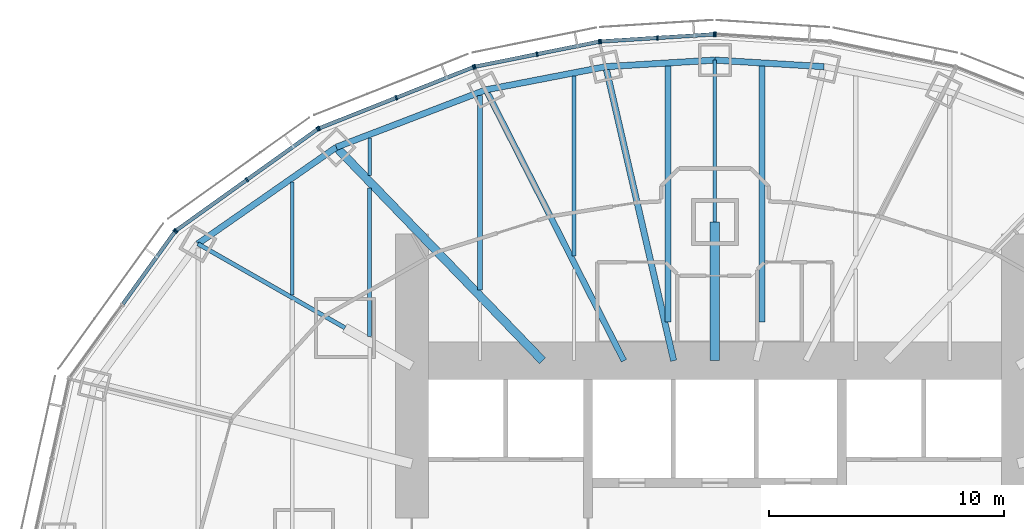
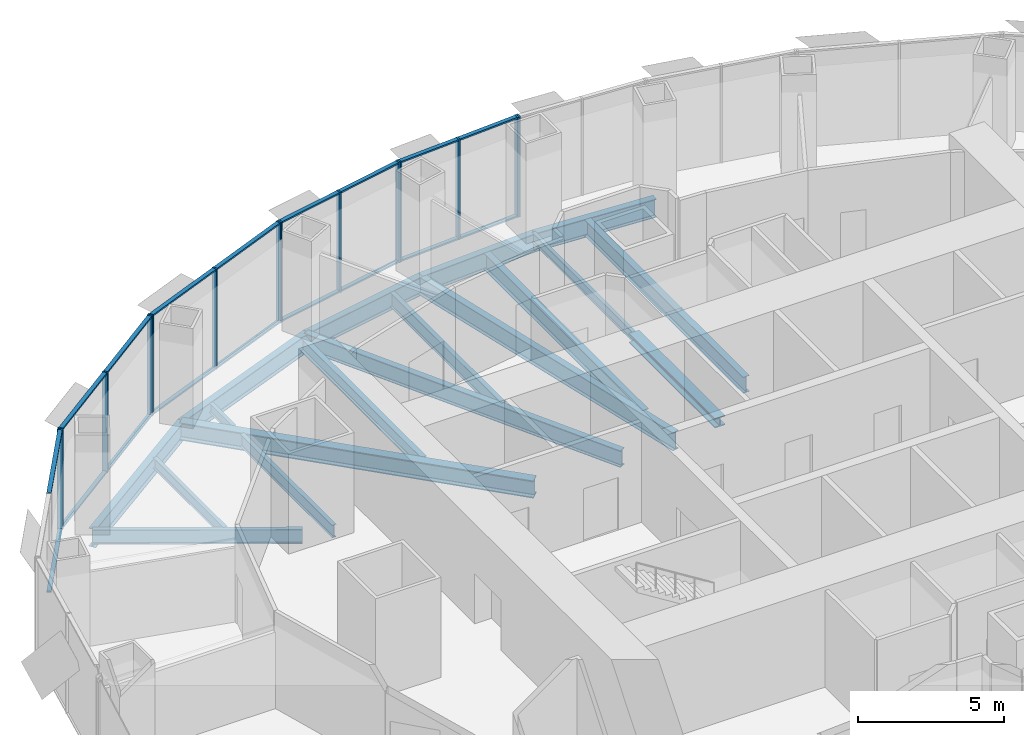
# One storey, part 7 of 18: 32 members, 18 beams, 6 elements without a shape of their own.
"""IFC4 building model written with IfcOpenShell, lengths in metres."""

from ifc_helpers import new_model, si_unit, direction, frame, origin, origin_2d, place, context, subcontext, project, spatial, rectangle, i_section, extrude, material, material_profile, profile_set, type_object, element, aggregate, save


model = new_model("IFC4")

# Units and contexts
model_context = context("Model", 3, precision=1e-05, world=origin(), true_north=direction((0.0, 1.0)))
body_context = subcontext(model_context, "Body", "Model", "MODEL_VIEW")
ifc_project = project(units=[si_unit("LENGTHUNIT", "METRE"), si_unit("AREAUNIT", "SQUARE_METRE"), si_unit("VOLUMEUNIT", "CUBIC_METRE"), si_unit("PLANEANGLEUNIT", "RADIAN"), si_unit("MASSUNIT", "GRAM", prefix="KILO")], contexts=[model_context])

# Site, building, storey
site_placement = place(None, origin())
site = spatial("IfcSite", under=ifc_project, at=site_placement, CompositionType="ELEMENT")
building_placement = place(site_placement, origin())
building = spatial("IfcBuilding", under=site, at=building_placement, Name="Lantaw Convention Tower", CompositionType="ELEMENT")
storey_placement = place(building_placement, frame((0.0, 0.0, 172.0)))
storey = spatial("IfcBuildingStorey", under=building, at=storey_placement, Name="L40", CompositionType="ELEMENT", Elevation=172.0)

# Beams
ifc_material_1 = material(Name="Steel ASTM A992", Category="steel")
ifc_material_profile_1 = material_profile(ifc_material_1, i_section(OverallWidth=0.2666015625, OverallDepth=0.76953125, WebThickness=0.015625, FlangeThickness=0.025390625, FilletRadius=0.0126953125, at=origin_2d()), Name="W30X132")
ifc_profile_set_1 = profile_set([ifc_material_profile_1], Name="Steel ASTM A992")
beam_type_1 = type_object("IfcBeamType", Name="Beam E W30X132", PredefinedType="SPANDREL", material=ifc_profile_set_1)
for number, where, z_axis, x_axis, name in (
    (1, (4.64501953125, 20.1201171875, -0.534912109375), (-0.998190892054, 0.06012439621, 0.0), (-0.06012439621, -0.998190892054, 0.0), "Edge beam 6"),
    (2, (0.0, 20.39990234375, -0.534912109375), (-0.998190892054, -0.06012439621, 0.0), (0.06012439621, -0.998190892054, 0.0), "Edge beam 7"),
):
    element("IfcBeam", number, at=place(storey_placement, frame(where, z_axis=z_axis, x_axis=x_axis)), inside=storey, type_object=beam_type_1, Name=name, PredefinedType="SPANDREL", context=body_context, shape_type="SweptSolid", body=[
        extrude(i_section(OverallWidth=0.2666015625, OverallDepth=0.76953125, WebThickness=0.015625, FlangeThickness=0.025390625, FilletRadius=0.0126953125, at=origin_2d()), origin(), (0.0, 0.0, 1.0), 4.6533203125),
    ])
beam_1_placement = place(storey_placement, frame((-4.64501953125, 20.1201171875, -0.534912109375), z_axis=(-0.981796805654, -0.189934284446, 0.0), x_axis=(0.189934284446, -0.981796805654, 0.0)))
element("IfcBeam", 3, at=beam_1_placement, inside=storey, type_object=beam_type_1, Name="Edge beam 8", PredefinedType="SPANDREL", context=body_context, shape_type="SweptSolid", body=[
    extrude(i_section(OverallWidth=0.2666015625, OverallDepth=0.76953125, WebThickness=0.015625, FlangeThickness=0.025390625, FilletRadius=0.0126953125, at=origin_2d()), origin(), (0.0, 0.0, 1.0), 5.1982421875),
])
beam_2_placement = place(storey_placement, frame((-9.74853515625, 19.1328125, -0.534912109375), z_axis=(-0.933691081977, -0.358079549033, 0.0), x_axis=(0.358079549033, -0.933691081977, 0.0)))
element("IfcBeam", 4, at=beam_2_placement, inside=storey, type_object=beam_type_1, Name="Edge beam 9", PredefinedType="SPANDREL", context=body_context, shape_type="SweptSolid", body=[
    extrude(i_section(OverallWidth=0.2666015625, OverallDepth=0.76953125, WebThickness=0.015625, FlangeThickness=0.025390625, FilletRadius=0.0126953125, at=origin_2d()), origin(), (0.0, 0.0, 1.0), 6.821533203125),
])
beam_3_placement = place(storey_placement, frame((-16.11767578125, 16.690185546875, -0.534912109375), z_axis=(-0.820310765287, -0.57191804339, 0.0), x_axis=(0.57191804339, -0.820310765287, 0.0)))
element("IfcBeam", 5, at=beam_3_placement, inside=storey, type_object=beam_type_1, Name="Edge beam 10", PredefinedType="SPANDREL", context=body_context, shape_type="SweptSolid", body=[
    extrude(i_section(OverallWidth=0.2666015625, OverallDepth=0.76953125, WebThickness=0.015625, FlangeThickness=0.025390625, FilletRadius=0.0126953125, at=origin_2d()), origin(), (0.0, 0.0, 1.0), 7.187744140625),
])
ifc_material_profile_2 = material_profile(ifc_material_1, i_section(OverallWidth=0.140380859375, OverallDepth=0.40380859375, WebThickness=0.007080078125, FlangeThickness=0.01123046875, FilletRadius=0.01025390625, at=origin_2d()), Name="W16X31")
ifc_profile_set_2 = profile_set([ifc_material_profile_2], Name="Steel ASTM A992")
beam_type_2 = type_object("IfcBeamType", Name="Beam G W16X31", PredefinedType="BEAM", material=ifc_profile_set_2)
beam_4_placement = place(storey_placement, frame((0.0, 13.5, -0.35205078125), z_axis=(0.0, 1.0, 0.0), x_axis=(-1.0, 0.0, 0.0)))
element("IfcBeam", 6, at=beam_4_placement, inside=storey, type_object=beam_type_2, Name="Floor girder on ray 7", PredefinedType="BEAM", context=body_context, shape_type="SweptSolid", body=[
    extrude(i_section(OverallWidth=0.140380859375, OverallDepth=0.40380859375, WebThickness=0.007080078125, FlangeThickness=0.01123046875, FilletRadius=0.01025390625, at=origin_2d()), origin(), (0.0, 0.0, 1.0), 6.89990234375),
])
ifc_material_profile_3 = material_profile(ifc_material_1, i_section(OverallWidth=0.177978515625, OverallDepth=0.599365234375, WebThickness=0.010009765625, FlangeThickness=0.012939453125, FilletRadius=0.012939453125, at=origin_2d()), Name="W24X55")
ifc_profile_set_3 = profile_set([ifc_material_profile_3], Name="Steel ASTM A992")
beam_type_3 = type_object("IfcBeamType", Name="Beam G W24X55", PredefinedType="BEAM", material=ifc_profile_set_3)
beam_5_placement = place(storey_placement, frame((-15.75, 9.0, -0.44970703125), z_axis=(-0.868245224608, 0.496135293993, 0.0), x_axis=(-0.496135293993, -0.868245224608, 0.0)))
element("IfcBeam", 7, at=beam_5_placement, inside=storey, type_object=beam_type_3, Name="Floor girder on ray 11", PredefinedType="BEAM", context=body_context, shape_type="SweptSolid", body=[
    extrude(i_section(OverallWidth=0.177978515625, OverallDepth=0.599365234375, WebThickness=0.010009765625, FlangeThickness=0.012939453125, FilletRadius=0.012939453125, at=origin_2d()), origin(), (0.0, 0.0, 1.0), 7.21435546875),
])
ifc_material_profile_4 = material_profile(ifc_material_1, i_section(OverallWidth=0.25390625, OverallDepth=0.700927734375, WebThickness=0.015380859375, FlangeThickness=0.02783203125, FilletRadius=0.01513671875, at=origin_2d()), Name="W27X129")
ifc_profile_set_4 = profile_set([ifc_material_profile_4], Name="Steel ASTM A992")
beam_type_4 = type_object("IfcBeamType", Name="Beam G W27X129", PredefinedType="BEAM", material=ifc_profile_set_4)
beam_6_placement = place(storey_placement, frame((-3.872314453125, 7.60009765625, -0.50048828125), z_axis=(-0.453991051051, 0.891006243281, 0.0), x_axis=(-0.891006243281, -0.453991051051, 0.0)))
element("IfcBeam", 8, at=beam_6_placement, inside=storey, type_object=beam_type_4, Name="Floor girder on ray 9", PredefinedType="BEAM", context=body_context, shape_type="SweptSolid", body=[
    extrude(i_section(OverallWidth=0.25390625, OverallDepth=0.700927734375, WebThickness=0.015380859375, FlangeThickness=0.02783203125, FilletRadius=0.01513671875, at=origin_2d()), origin(), (0.0, 0.0, 1.0), 12.943359375),
])
ifc_material_profile_5 = material_profile(ifc_material_1, i_section(OverallWidth=0.360595703125, OverallDepth=0.72900390625, WebThickness=0.023193359375, FlangeThickness=0.041015625, FilletRadius=0.0126953125, at=origin_2d()), Name="W27X235")
ifc_profile_set_5 = profile_set([ifc_material_profile_5], Name="Steel ASTM A992")
beam_type_5 = type_object("IfcBeamType", Name="Beam G W27X235", PredefinedType="BEAM", material=ifc_profile_set_5)
beam_7_placement = place(storey_placement, frame((-7.33935546875, 7.60009765625, -0.514404296875), z_axis=(-0.694663467407, 0.719334878239, 0.0), x_axis=(-0.719334878239, -0.694663467407, 0.0)))
element("IfcBeam", 9, at=beam_7_placement, inside=storey, type_object=beam_type_5, Name="Floor girder on ray 10", PredefinedType="BEAM", context=body_context, shape_type="SweptSolid", body=[
    extrude(i_section(OverallWidth=0.360595703125, OverallDepth=0.72900390625, WebThickness=0.023193359375, FlangeThickness=0.041015625, FilletRadius=0.0126953125, at=origin_2d()), origin(), (0.0, 0.0, 1.0), 12.63671875),
])
ifc_material_profile_6 = material_profile(ifc_material_1, i_section(OverallWidth=0.2666015625, OverallDepth=0.7568359375, WebThickness=0.013916015625, FlangeThickness=0.019287109375, FilletRadius=0.0126953125, at=origin_2d()), Name="W30X108")
ifc_profile_set_6 = profile_set([ifc_material_profile_6], Name="Steel ASTM A992")
beam_type_6 = type_object("IfcBeamType", Name="Beam G W30X108", PredefinedType="BEAM", material=ifc_profile_set_6)
beam_8_placement = place(storey_placement, frame((-1.754638671875, 7.60009765625, -0.528564453125), z_axis=(-0.224944153104, 0.974371658036, 0.0), x_axis=(-0.974371658036, -0.224944153104, 0.0)))
element("IfcBeam", 10, at=beam_8_placement, inside=storey, type_object=beam_type_6, Name="Floor girder on ray 8", PredefinedType="BEAM", context=body_context, shape_type="SweptSolid", body=[
    extrude(i_section(OverallWidth=0.2666015625, OverallDepth=0.7568359375, WebThickness=0.013916015625, FlangeThickness=0.019287109375, FilletRadius=0.0126953125, at=origin_2d()), origin(), (0.0, 0.0, 1.0), 12.849365234375),
])
ifc_material_profile_7 = material_profile(ifc_material_1, i_section(OverallWidth=0.40380859375, OverallDepth=0.406494140625, WebThickness=0.027099609375, FlangeThickness=0.043701171875, FilletRadius=0.01513671875, at=origin_2d()), Name="W14X233")
ifc_profile_set_7 = profile_set([ifc_material_profile_7], Name="Steel ASTM A992")
beam_type_7 = type_object("IfcBeamType", Name="Beam GM W14X233", PredefinedType="BEAM", material=ifc_profile_set_7)
beam_9_placement = place(storey_placement, frame((0.0, 7.60009765625, -0.353271484375), z_axis=(0.0, 1.0, 0.0), x_axis=(-1.0, 0.0, 0.0)))
element("IfcBeam", 11, at=beam_9_placement, inside=storey, type_object=beam_type_7, Name="Core link beam on ray 7", PredefinedType="BEAM", context=body_context, shape_type="SweptSolid", body=[
    extrude(i_section(OverallWidth=0.40380859375, OverallDepth=0.406494140625, WebThickness=0.027099609375, FlangeThickness=0.043701171875, FilletRadius=0.01513671875, at=origin_2d()), origin(), (0.0, 0.0, 1.0), 5.89990234375),
])
ifc_material_profile_8 = material_profile(ifc_material_1, i_section(OverallWidth=0.140380859375, OverallDepth=0.40380859375, WebThickness=0.007080078125, FlangeThickness=0.01123046875, FilletRadius=0.01025390625, at=origin_2d()), Name="W16X31")
ifc_profile_set_8 = profile_set([ifc_material_profile_8], Name="Steel ASTM A992")
beam_type_8 = type_object("IfcBeamType", Name="Beam J W16X31", PredefinedType="JOIST", material=ifc_profile_set_8)
beam_10_placement = place(storey_placement, frame((-14.699951171875, 15.48193359375, -0.35205078125), z_axis=(0.0, 1.0, 0.0), x_axis=(-1.0, 0.0, 0.0)))
element("IfcBeam", 12, at=beam_10_placement, inside=storey, type_object=beam_type_8, Name="Floor joist", PredefinedType="JOIST", context=body_context, shape_type="SweptSolid", body=[
    extrude(i_section(OverallWidth=0.140380859375, OverallDepth=0.40380859375, WebThickness=0.007080078125, FlangeThickness=0.01123046875, FilletRadius=0.01025390625, at=origin_2d()), origin(), (0.0, 0.0, 1.0), 1.609130859375),
])
ifc_material_profile_9 = material_profile(ifc_material_1, i_section(OverallWidth=0.15234375, OverallDepth=0.449462890625, WebThickness=0.007568359375, FlangeThickness=0.0107421875, FilletRadius=0.01025390625, at=origin_2d()), Name="W18X35")
ifc_profile_set_9 = profile_set([ifc_material_profile_9], Name="Steel ASTM A992")
beam_type_9 = type_object("IfcBeamType", Name="Beam J W18X35", PredefinedType="JOIST", material=ifc_profile_set_9)
beam_11_placement = place(storey_placement, frame((-18.0, 10.38818359375, -0.374755859375), z_axis=(0.0, 1.0, 0.0), x_axis=(-1.0, 0.0, 0.0)))
element("IfcBeam", 13, at=beam_11_placement, inside=storey, type_object=beam_type_9, Name="Floor joist", PredefinedType="JOIST", context=body_context, shape_type="SweptSolid", body=[
    extrude(i_section(OverallWidth=0.15234375, OverallDepth=0.449462890625, WebThickness=0.007568359375, FlangeThickness=0.0107421875, FilletRadius=0.01025390625, at=origin_2d()), origin(), (0.0, 0.0, 1.0), 4.8271484375),
])
ifc_material_profile_10 = material_profile(ifc_material_1, i_section(OverallWidth=0.1650390625, OverallDepth=0.52587890625, WebThickness=0.0087890625, FlangeThickness=0.011474609375, FilletRadius=0.0126953125, at=origin_2d()), Name="W21X44")
ifc_profile_set_10 = profile_set([ifc_material_profile_10], Name="Steel ASTM A992")
beam_type_10 = type_object("IfcBeamType", Name="Beam J W21X44", PredefinedType="JOIST", material=ifc_profile_set_10)
beam_12_placement = place(storey_placement, frame((-14.699951171875, 8.632568359375, -0.412841796875), z_axis=(0.0, 1.0, 0.0), x_axis=(-1.0, 0.0, 0.0)))
element("IfcBeam", 14, at=beam_12_placement, inside=storey, type_object=beam_type_10, Name="Floor joist", PredefinedType="JOIST", context=body_context, shape_type="SweptSolid", body=[
    extrude(i_section(OverallWidth=0.1650390625, OverallDepth=0.52587890625, WebThickness=0.0087890625, FlangeThickness=0.011474609375, FilletRadius=0.0126953125, at=origin_2d()), origin(), (0.0, 0.0, 1.0), 6.330078125),
])
ifc_material_profile_11 = material_profile(ifc_material_1, i_section(OverallWidth=0.2099609375, OverallDepth=0.535888671875, WebThickness=0.010986328125, FlangeThickness=0.017333984375, FilletRadius=0.012939453125, at=origin_2d()), Name="W21X68")
ifc_profile_set_11 = profile_set([ifc_material_profile_11], Name="Steel ASTM A992")
beam_type_11 = type_object("IfcBeamType", Name="Beam J W21X68", PredefinedType="JOIST", material=ifc_profile_set_11)
beam_13_placement = place(storey_placement, frame((-10.0, 10.614990234375, -0.41796875), z_axis=(0.0, 1.0, 0.0), x_axis=(-1.0, 0.0, 0.0)))
element("IfcBeam", 15, at=beam_13_placement, inside=storey, type_object=beam_type_11, Name="Floor joist", PredefinedType="JOIST", context=body_context, shape_type="SweptSolid", body=[
    extrude(i_section(OverallWidth=0.2099609375, OverallDepth=0.535888671875, WebThickness=0.010986328125, FlangeThickness=0.017333984375, FilletRadius=0.012939453125, at=origin_2d()), origin(), (0.0, 0.0, 1.0), 8.278564453125),
])
ifc_material_profile_12 = material_profile(ifc_material_1, i_section(OverallWidth=0.177978515625, OverallDepth=0.599365234375, WebThickness=0.010009765625, FlangeThickness=0.012939453125, FilletRadius=0.012939453125, at=origin_2d()), Name="W24X55")
ifc_profile_set_12 = profile_set([ifc_material_profile_12], Name="Steel ASTM A992")
beam_type_12 = type_object("IfcBeamType", Name="Beam J W24X55", PredefinedType="JOIST", material=ifc_profile_set_12)
beam_14_placement = place(storey_placement, frame((-6.0, 12.055419921875, -0.44970703125), z_axis=(0.0, 1.0, 0.0), x_axis=(-1.0, 0.0, 0.0)))
element("IfcBeam", 16, at=beam_14_placement, inside=storey, type_object=beam_type_12, Name="Floor joist", PredefinedType="JOIST", context=body_context, shape_type="SweptSolid", body=[
    extrude(i_section(OverallWidth=0.177978515625, OverallDepth=0.599365234375, WebThickness=0.010009765625, FlangeThickness=0.012939453125, FilletRadius=0.012939453125, at=origin_2d()), origin(), (0.0, 0.0, 1.0), 7.666748046875),
])
ifc_material_profile_13 = material_profile(ifc_material_1, i_section(OverallWidth=0.25390625, OverallDepth=0.683349609375, WebThickness=0.012451171875, FlangeThickness=0.01904296875, FilletRadius=0.01513671875, at=origin_2d()), Name="W27X94")
ifc_profile_set_13 = profile_set([ifc_material_profile_13], Name="Steel ASTM A992")
beam_type_13 = type_object("IfcBeamType", Name="Beam J W27X94", PredefinedType="JOIST", material=ifc_profile_set_13)
for number, where, z_axis, x_axis, name in (
    (17, (-2.0, 9.255859375, -0.49169921875), (0.0, 1.0, 0.0), (-1.0, 0.0, 0.0), "Floor joist"),
    (18, (2.0, 9.255859375, -0.49169921875), (0.0, 1.0, 0.0), (-1.0, 0.0, 0.0), "Floor joist"),
):
    element("IfcBeam", number, at=place(storey_placement, frame(where, z_axis=z_axis, x_axis=x_axis)), inside=storey, type_object=beam_type_13, Name=name, PredefinedType="JOIST", context=body_context, shape_type="SweptSolid", body=[
        extrude(i_section(OverallWidth=0.25390625, OverallDepth=0.683349609375, WebThickness=0.012451171875, FlangeThickness=0.01904296875, FilletRadius=0.01513671875, at=origin_2d()), origin(), (0.0, 0.0, 1.0), 10.889892578125),
    ])

# Curtain wall, member
ifc_material_2 = material(Name="Aluminium framed curtain wall", Category="aluminium")
curtain_wall_type = type_object("IfcCurtainWallType", Name="Office curtain wall low rise, pale aluminium", PredefinedType="USERDEFINED", material=ifc_material_2)
curtain_wall_1_placement = place(storey_placement, origin())
curtain_wall_1 = element("IfcCurtainWall", 19, at=curtain_wall_1_placement, inside=storey, type_object=curtain_wall_type, Name="Office curtain wall low rise, pale aluminium L40", ObjectType="UNITISED CURTAIN WALL", PredefinedType="USERDEFINED")
ifc_material_3 = material(Name="Aluminium 6063-T6", Category="aluminium")
ifc_material_profile_14 = material_profile(ifc_material_3, rectangle(XDim=0.199951171875, YDim=0.06494140625, at=origin_2d()), Name="CW-O1 mullion 65x200")
ifc_profile_set_14 = profile_set([ifc_material_profile_14], Name="Aluminium 6063-T6")
member_type_1 = type_object("IfcMemberType", Name="CW-O1 mullion 65x200", PredefinedType="MULLION", material=ifc_profile_set_14)
member_1_placement = place(storey_placement, frame((0.032470703125, 21.498046875, -0.14990234375), z_axis=(0.0, 0.0, 1.0), x_axis=(-0.062865059466, -0.998022035978, 0.0)))
member_1 = element("IfcMember", 20, at=member_1_placement, type_object=member_type_1, Name="CW-O1 mullion 3", PredefinedType="MULLION", context=body_context, shape_type="SweptSolid", body=[
    extrude(rectangle(XDim=0.199951171875, YDim=0.06494140625, at=origin_2d()), origin(), (0.0, 0.0, 1.0), 4.199951171875),
])
aggregate(curtain_wall_1, [member_1])

# Curtain wall, members
curtain_wall_2_placement = place(storey_placement, origin())
curtain_wall_2 = element("IfcCurtainWall", 21, at=curtain_wall_2_placement, inside=storey, type_object=curtain_wall_type, Name="Office curtain wall low rise, pale aluminium L40", ObjectType="UNITISED CURTAIN WALL", PredefinedType="USERDEFINED")
member_2_placement = place(storey_placement, frame((-0.032470703125, 21.498046875, -0.14990234375), z_axis=(0.0, 0.0, 1.0), x_axis=(0.062865059466, -0.998022035978, 0.0)))
member_2 = element("IfcMember", 22, at=member_2_placement, type_object=member_type_1, Name="CW-O1 mullion 1", PredefinedType="MULLION", context=body_context, shape_type="SweptSolid", body=[
    extrude(rectangle(XDim=0.199951171875, YDim=0.06494140625, at=origin_2d()), origin(), (0.0, 0.0, 1.0), 4.199951171875),
])
member_3_placement = place(storey_placement, frame((-2.4462890625, 21.345947265625, -0.14990234375), z_axis=(0.0, 0.0, 1.0), x_axis=(0.062865059466, -0.998022035978, 0.0)))
member_3 = element("IfcMember", 23, at=member_3_placement, type_object=member_type_1, Name="CW-O1 mullion 2", PredefinedType="MULLION", context=body_context, shape_type="SweptSolid", body=[
    extrude(rectangle(XDim=0.199951171875, YDim=0.06494140625, at=origin_2d()), origin(), (0.0, 0.0, 1.0), 4.199951171875),
])
member_4_placement = place(storey_placement, frame((-4.860107421875, 21.19384765625, -0.14990234375), z_axis=(0.0, 0.0, 1.0), x_axis=(0.062865059466, -0.998022035978, 0.0)))
member_4 = element("IfcMember", 24, at=member_4_placement, type_object=member_type_1, Name="CW-O1 mullion 3", PredefinedType="MULLION", context=body_context, shape_type="SweptSolid", body=[
    extrude(rectangle(XDim=0.199951171875, YDim=0.06494140625, at=origin_2d()), origin(), (0.0, 0.0, 1.0), 4.199951171875),
])

curtain_wall_3_placement = place(storey_placement, origin())
curtain_wall_3 = element("IfcCurtainWall", 25, at=curtain_wall_3_placement, inside=storey, type_object=curtain_wall_type, Name="Office curtain wall low rise, pale aluminium L40", ObjectType="UNITISED CURTAIN WALL", PredefinedType="USERDEFINED")
member_5_placement = place(storey_placement, frame((-4.92431640625, 21.185302734375, -0.14990234375), z_axis=(0.0, 0.0, 1.0), x_axis=(0.197506809659, -0.980301514912, 0.0)))
member_5 = element("IfcMember", 26, at=member_5_placement, type_object=member_type_1, Name="CW-O1 mullion 1", PredefinedType="MULLION", context=body_context, shape_type="SweptSolid", body=[
    extrude(rectangle(XDim=0.199951171875, YDim=0.06494140625, at=origin_2d()), origin(), (0.0, 0.0, 1.0), 4.199951171875),
])
member_6_placement = place(storey_placement, frame((-7.5703125, 20.65234375, -0.14990234375), z_axis=(0.0, 0.0, 1.0), x_axis=(0.197506809659, -0.980301514912, 0.0)))
member_6 = element("IfcMember", 27, at=member_6_placement, type_object=member_type_1, Name="CW-O1 mullion 2", PredefinedType="MULLION", context=body_context, shape_type="SweptSolid", body=[
    extrude(rectangle(XDim=0.199951171875, YDim=0.06494140625, at=origin_2d()), origin(), (0.0, 0.0, 1.0), 4.199951171875),
])
member_7_placement = place(storey_placement, frame((-10.216064453125, 20.119140625, -0.14990234375), z_axis=(0.0, 0.0, 1.0), x_axis=(0.197506809659, -0.980301514912, 0.0)))
member_7 = element("IfcMember", 28, at=member_7_placement, type_object=member_type_1, Name="CW-O1 mullion 3", PredefinedType="MULLION", context=body_context, shape_type="SweptSolid", body=[
    extrude(rectangle(XDim=0.199951171875, YDim=0.06494140625, at=origin_2d()), origin(), (0.0, 0.0, 1.0), 4.199951171875),
])

curtain_wall_4_placement = place(storey_placement, origin())
curtain_wall_4 = element("IfcCurtainWall", 29, at=curtain_wall_4_placement, inside=storey, type_object=curtain_wall_type, Name="Office curtain wall low rise, pale aluminium L40", ObjectType="UNITISED CURTAIN WALL", PredefinedType="USERDEFINED")
member_8_placement = place(storey_placement, frame((-10.2783203125, 20.100830078125, -0.14990234375), z_axis=(0.0, 0.0, 1.0), x_axis=(0.368701907483, -0.929547687544, 0.0)))
member_8 = element("IfcMember", 30, at=member_8_placement, type_object=member_type_1, Name="CW-O1 mullion 1", PredefinedType="MULLION", context=body_context, shape_type="SweptSolid", body=[
    extrude(rectangle(XDim=0.199951171875, YDim=0.06494140625, at=origin_2d()), origin(), (0.0, 0.0, 1.0), 4.199951171875),
])
member_9_placement = place(storey_placement, frame((-13.56494140625, 18.797119140625, -0.14990234375), z_axis=(0.0, 0.0, 1.0), x_axis=(0.368701907483, -0.929547687544, 0.0)))
member_9 = element("IfcMember", 31, at=member_9_placement, type_object=member_type_1, Name="CW-O1 mullion 2", PredefinedType="MULLION", context=body_context, shape_type="SweptSolid", body=[
    extrude(rectangle(XDim=0.199951171875, YDim=0.06494140625, at=origin_2d()), origin(), (0.0, 0.0, 1.0), 4.199951171875),
])
member_10_placement = place(storey_placement, frame((-16.8515625, 17.49365234375, -0.14990234375), z_axis=(0.0, 0.0, 1.0), x_axis=(0.368701907483, -0.929547687544, 0.0)))
member_10 = element("IfcMember", 32, at=member_10_placement, type_object=member_type_1, Name="CW-O1 mullion 3", PredefinedType="MULLION", context=body_context, shape_type="SweptSolid", body=[
    extrude(rectangle(XDim=0.199951171875, YDim=0.06494140625, at=origin_2d()), origin(), (0.0, 0.0, 1.0), 4.199951171875),
])

curtain_wall_5_placement = place(storey_placement, origin())
curtain_wall_5 = element("IfcCurtainWall", 33, at=curtain_wall_5_placement, inside=storey, type_object=curtain_wall_type, Name="Office curtain wall low rise, pale aluminium L40", ObjectType="UNITISED CURTAIN WALL", PredefinedType="USERDEFINED")
member_11_placement = place(storey_placement, frame((-16.908203125, 17.462646484375, -0.14990234375), z_axis=(0.0, 0.0, 1.0), x_axis=(0.581972695693, -0.813208325995, 0.0)))
member_11 = element("IfcMember", 34, at=member_11_placement, type_object=member_type_1, Name="CW-O1 mullion 1", PredefinedType="MULLION", context=body_context, shape_type="SweptSolid", body=[
    extrude(rectangle(XDim=0.199951171875, YDim=0.06494140625, at=origin_2d()), origin(), (0.0, 0.0, 1.0), 4.199951171875),
])
member_12_placement = place(storey_placement, frame((-19.92529296875, 15.303466796875, -0.14990234375), z_axis=(0.0, 0.0, 1.0), x_axis=(0.581972695693, -0.813208325995, 0.0)))
member_12 = element("IfcMember", 35, at=member_12_placement, type_object=member_type_1, Name="CW-O1 mullion 2", PredefinedType="MULLION", context=body_context, shape_type="SweptSolid", body=[
    extrude(rectangle(XDim=0.199951171875, YDim=0.06494140625, at=origin_2d()), origin(), (0.0, 0.0, 1.0), 4.199951171875),
])
member_13_placement = place(storey_placement, frame((-22.942626953125, 13.14404296875, -0.14990234375), z_axis=(0.0, 0.0, 1.0), x_axis=(0.581972695693, -0.813208325995, 0.0)))
member_13 = element("IfcMember", 36, at=member_13_placement, type_object=member_type_1, Name="CW-O1 mullion 3", PredefinedType="MULLION", context=body_context, shape_type="SweptSolid", body=[
    extrude(rectangle(XDim=0.199951171875, YDim=0.06494140625, at=origin_2d()), origin(), (0.0, 0.0, 1.0), 4.199951171875),
])

# Curtain wall, member
curtain_wall_6_placement = place(storey_placement, origin())
curtain_wall_6 = element("IfcCurtainWall", 37, at=curtain_wall_6_placement, inside=storey, type_object=curtain_wall_type, Name="Office curtain wall low rise, pale aluminium L40", ObjectType="UNITISED CURTAIN WALL", PredefinedType="USERDEFINED")
member_14_placement = place(storey_placement, frame((-22.988037109375, 13.098876953125, -0.14990234375), z_axis=(0.0, 0.0, 1.0), x_axis=(0.811384633629, -0.584512597221, 0.0)))
member_14 = element("IfcMember", 38, at=member_14_placement, type_object=member_type_1, Name="CW-O1 mullion 1", PredefinedType="MULLION", context=body_context, shape_type="SweptSolid", body=[
    extrude(rectangle(XDim=0.199951171875, YDim=0.06494140625, at=origin_2d()), origin(), (0.0, 0.0, 1.0), 4.199951171875),
])

# Member
ifc_material_profile_15 = material_profile(ifc_material_3, rectangle(XDim=0.159912109375, YDim=0.06494140625, at=origin_2d()), Name="CW-O1 transom 65x160")
ifc_profile_set_15 = profile_set([ifc_material_profile_15], Name="Aluminium 6063-T6")
member_type_2 = type_object("IfcMemberType", Name="CW-O1 transom 65x160", PredefinedType="USERDEFINED", material=ifc_profile_set_15)
member_15_placement = place(storey_placement, frame((-0.06494140625, 21.495849609375, -0.117431640625), z_axis=(-0.998022188463, -0.062862638625, 0.0), x_axis=(0.062862638625, -0.998022188463, 0.0)))
member_15 = element("IfcMember", 39, at=member_15_placement, type_object=member_type_2, Name="CW-O1 transom 1.1", ObjectType="TRANSOM", PredefinedType="USERDEFINED", context=body_context, shape_type="SweptSolid", body=[
    extrude(rectangle(XDim=0.159912109375, YDim=0.06494140625, at=origin_2d()), origin(), (0.0, 0.0, 1.0), 2.353515625),
])

member_16_placement = place(storey_placement, frame((-0.06494140625, 21.495849609375, 4.017578125), z_axis=(-0.998022188463, -0.062862638625, 0.0), x_axis=(0.062862638625, -0.998022188463, 0.0)))
member_16 = element("IfcMember", 40, at=member_16_placement, type_object=member_type_2, Name="CW-O1 transom 1.2", ObjectType="TRANSOM", PredefinedType="USERDEFINED", context=body_context, shape_type="SweptSolid", body=[
    extrude(rectangle(XDim=0.159912109375, YDim=0.06494140625, at=origin_2d()), origin(), (0.0, 0.0, 1.0), 2.353515625),
])

member_17_placement = place(storey_placement, frame((-2.478759765625, 21.34375, -0.117431640625), z_axis=(-0.998022188463, -0.062862638625, 0.0), x_axis=(0.062862638625, -0.998022188463, 0.0)))
member_17 = element("IfcMember", 41, at=member_17_placement, type_object=member_type_2, Name="CW-O1 transom 2.1", ObjectType="TRANSOM", PredefinedType="USERDEFINED", context=body_context, shape_type="SweptSolid", body=[
    extrude(rectangle(XDim=0.159912109375, YDim=0.06494140625, at=origin_2d()), origin(), (0.0, 0.0, 1.0), 2.353515625),
])

member_18_placement = place(storey_placement, frame((-2.478759765625, 21.34375, 4.017578125), z_axis=(-0.998022188463, -0.062862638625, 0.0), x_axis=(0.062862638625, -0.998022188463, 0.0)))
member_18 = element("IfcMember", 42, at=member_18_placement, type_object=member_type_2, Name="CW-O1 transom 2.2", ObjectType="TRANSOM", PredefinedType="USERDEFINED", context=body_context, shape_type="SweptSolid", body=[
    extrude(rectangle(XDim=0.159912109375, YDim=0.06494140625, at=origin_2d()), origin(), (0.0, 0.0, 1.0), 2.353515625),
])

aggregate(curtain_wall_2, [member_2, member_3, member_4, member_15, member_16, member_17, member_18])

member_19_placement = place(storey_placement, frame((-4.956298828125, 21.178955078125, -0.117431640625), z_axis=(-0.980298027092, -0.197524120247, 0.0), x_axis=(0.197524120247, -0.980298027092, 0.0)))
member_19 = element("IfcMember", 43, at=member_19_placement, type_object=member_type_2, Name="CW-O1 transom 1.1", ObjectType="TRANSOM", PredefinedType="USERDEFINED", context=body_context, shape_type="SweptSolid", body=[
    extrude(rectangle(XDim=0.159912109375, YDim=0.06494140625, at=origin_2d()), origin(), (0.0, 0.0, 1.0), 2.634033203125),
])

member_20_placement = place(storey_placement, frame((-4.956298828125, 21.178955078125, 4.017578125), z_axis=(-0.980298027092, -0.197524120247, 0.0), x_axis=(0.197524120247, -0.980298027092, 0.0)))
member_20 = element("IfcMember", 44, at=member_20_placement, type_object=member_type_2, Name="CW-O1 transom 1.2", ObjectType="TRANSOM", PredefinedType="USERDEFINED", context=body_context, shape_type="SweptSolid", body=[
    extrude(rectangle(XDim=0.159912109375, YDim=0.06494140625, at=origin_2d()), origin(), (0.0, 0.0, 1.0), 2.634033203125),
])

member_21_placement = place(storey_placement, frame((-7.60205078125, 20.64599609375, -0.117431640625), z_axis=(-0.980301643003, -0.197506173891, 0.0), x_axis=(0.197506173891, -0.980301643003, 0.0)))
member_21 = element("IfcMember", 45, at=member_21_placement, type_object=member_type_2, Name="CW-O1 transom 2.1", ObjectType="TRANSOM", PredefinedType="USERDEFINED", context=body_context, shape_type="SweptSolid", body=[
    extrude(rectangle(XDim=0.159912109375, YDim=0.06494140625, at=origin_2d()), origin(), (0.0, 0.0, 1.0), 2.63427734375),
])

member_22_placement = place(storey_placement, frame((-7.60205078125, 20.64599609375, 4.017578125), z_axis=(-0.980301643003, -0.197506173891, 0.0), x_axis=(0.197506173891, -0.980301643003, 0.0)))
member_22 = element("IfcMember", 46, at=member_22_placement, type_object=member_type_2, Name="CW-O1 transom 2.2", ObjectType="TRANSOM", PredefinedType="USERDEFINED", context=body_context, shape_type="SweptSolid", body=[
    extrude(rectangle(XDim=0.159912109375, YDim=0.06494140625, at=origin_2d()), origin(), (0.0, 0.0, 1.0), 2.63427734375),
])

aggregate(curtain_wall_3, [member_5, member_6, member_7, member_19, member_20, member_21, member_22])

member_23_placement = place(storey_placement, frame((-10.308349609375, 20.0888671875, -0.117431640625), z_axis=(-0.929540081544, -0.368721082668, 0.0), x_axis=(0.368721082668, -0.929540081544, 0.0)))
member_23 = element("IfcMember", 47, at=member_23_placement, type_object=member_type_2, Name="CW-O1 transom 1.1", ObjectType="TRANSOM", PredefinedType="USERDEFINED", context=body_context, shape_type="SweptSolid", body=[
    extrude(rectangle(XDim=0.159912109375, YDim=0.06494140625, at=origin_2d()), origin(), (0.0, 0.0, 1.0), 3.470947265625),
])

member_24_placement = place(storey_placement, frame((-10.308349609375, 20.0888671875, 4.017578125), z_axis=(-0.929540081544, -0.368721082668, 0.0), x_axis=(0.368721082668, -0.929540081544, 0.0)))
member_24 = element("IfcMember", 48, at=member_24_placement, type_object=member_type_2, Name="CW-O1 transom 1.2", ObjectType="TRANSOM", PredefinedType="USERDEFINED", context=body_context, shape_type="SweptSolid", body=[
    extrude(rectangle(XDim=0.159912109375, YDim=0.06494140625, at=origin_2d()), origin(), (0.0, 0.0, 1.0), 3.470947265625),
])

member_25_placement = place(storey_placement, frame((-13.594970703125, 18.78515625, -0.117431640625), z_axis=(-0.929564188507, -0.368660303592, 0.0), x_axis=(0.368660303592, -0.929564188507, 0.0)))
member_25 = element("IfcMember", 49, at=member_25_placement, type_object=member_type_2, Name="CW-O1 transom 2.1", ObjectType="TRANSOM", PredefinedType="USERDEFINED", context=body_context, shape_type="SweptSolid", body=[
    extrude(rectangle(XDim=0.159912109375, YDim=0.06494140625, at=origin_2d()), origin(), (0.0, 0.0, 1.0), 3.470703125),
])

member_26_placement = place(storey_placement, frame((-13.594970703125, 18.78515625, 4.017578125), z_axis=(-0.929564188507, -0.368660303592, 0.0), x_axis=(0.368660303592, -0.929564188507, 0.0)))
member_26 = element("IfcMember", 50, at=member_26_placement, type_object=member_type_2, Name="CW-O1 transom 2.2", ObjectType="TRANSOM", PredefinedType="USERDEFINED", context=body_context, shape_type="SweptSolid", body=[
    extrude(rectangle(XDim=0.159912109375, YDim=0.06494140625, at=origin_2d()), origin(), (0.0, 0.0, 1.0), 3.470703125),
])

aggregate(curtain_wall_4, [member_8, member_9, member_10, member_23, member_24, member_25, member_26])

member_27_placement = place(storey_placement, frame((-16.9345703125, 17.44384765625, -0.117431640625), z_axis=(-0.813190089133, -0.581998177777, 0.0), x_axis=(0.581998177777, -0.813190089133, 0.0)))
member_27 = element("IfcMember", 51, at=member_27_placement, type_object=member_type_2, Name="CW-O1 transom 1.1", ObjectType="TRANSOM", PredefinedType="USERDEFINED", context=body_context, shape_type="SweptSolid", body=[
    extrude(rectangle(XDim=0.159912109375, YDim=0.06494140625, at=origin_2d()), origin(), (0.0, 0.0, 1.0), 3.645263671875),
])

member_28_placement = place(storey_placement, frame((-16.9345703125, 17.44384765625, 4.017578125), z_axis=(-0.813190089133, -0.581998177777, 0.0), x_axis=(0.581998177777, -0.813190089133, 0.0)))
member_28 = element("IfcMember", 52, at=member_28_placement, type_object=member_type_2, Name="CW-O1 transom 1.2", ObjectType="TRANSOM", PredefinedType="USERDEFINED", context=body_context, shape_type="SweptSolid", body=[
    extrude(rectangle(XDim=0.159912109375, YDim=0.06494140625, at=origin_2d()), origin(), (0.0, 0.0, 1.0), 3.645263671875),
])

member_29_placement = place(storey_placement, frame((-19.951904296875, 15.284423828125, -0.117431640625), z_axis=(-0.813221785972, -0.581953887194, 0.0), x_axis=(0.581953887194, -0.813221785972, 0.0)))
member_29 = element("IfcMember", 53, at=member_29_placement, type_object=member_type_2, Name="CW-O1 transom 2.1", ObjectType="TRANSOM", PredefinedType="USERDEFINED", context=body_context, shape_type="SweptSolid", body=[
    extrude(rectangle(XDim=0.159912109375, YDim=0.06494140625, at=origin_2d()), origin(), (0.0, 0.0, 1.0), 3.645263671875),
])

member_30_placement = place(storey_placement, frame((-19.951904296875, 15.284423828125, 4.017578125), z_axis=(-0.813221785972, -0.581953887194, 0.0), x_axis=(0.581953887194, -0.813221785972, 0.0)))
member_30 = element("IfcMember", 54, at=member_30_placement, type_object=member_type_2, Name="CW-O1 transom 2.2", ObjectType="TRANSOM", PredefinedType="USERDEFINED", context=body_context, shape_type="SweptSolid", body=[
    extrude(rectangle(XDim=0.159912109375, YDim=0.06494140625, at=origin_2d()), origin(), (0.0, 0.0, 1.0), 3.645263671875),
])

aggregate(curtain_wall_5, [member_11, member_12, member_13, member_27, member_28, member_29, member_30])

member_31_placement = place(storey_placement, frame((-23.007080078125, 13.072509765625, -0.117431640625), z_axis=(-0.584512973979, -0.811384362217, 0.0), x_axis=(0.811384362217, -0.584512973979, 0.0)))
member_31 = element("IfcMember", 55, at=member_31_placement, type_object=member_type_2, Name="CW-O1 transom 1.1", ObjectType="TRANSOM", PredefinedType="USERDEFINED", context=body_context, shape_type="SweptSolid", body=[
    extrude(rectangle(XDim=0.159912109375, YDim=0.06494140625, at=origin_2d()), origin(), (0.0, 0.0, 1.0), 3.767578125),
])

member_32_placement = place(storey_placement, frame((-23.007080078125, 13.072509765625, 4.017578125), z_axis=(-0.584512973979, -0.811384362217, 0.0), x_axis=(0.811384362217, -0.584512973979, 0.0)))
member_32 = element("IfcMember", 56, at=member_32_placement, type_object=member_type_2, Name="CW-O1 transom 1.2", ObjectType="TRANSOM", PredefinedType="USERDEFINED", context=body_context, shape_type="SweptSolid", body=[
    extrude(rectangle(XDim=0.159912109375, YDim=0.06494140625, at=origin_2d()), origin(), (0.0, 0.0, 1.0), 3.767578125),
])

aggregate(curtain_wall_6, [member_14, member_31, member_32])

save(model, "model.ifc")
